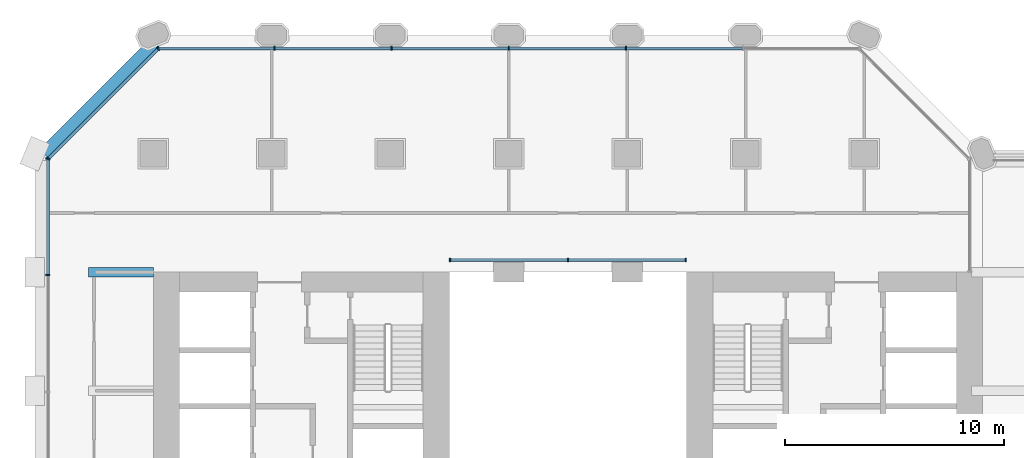
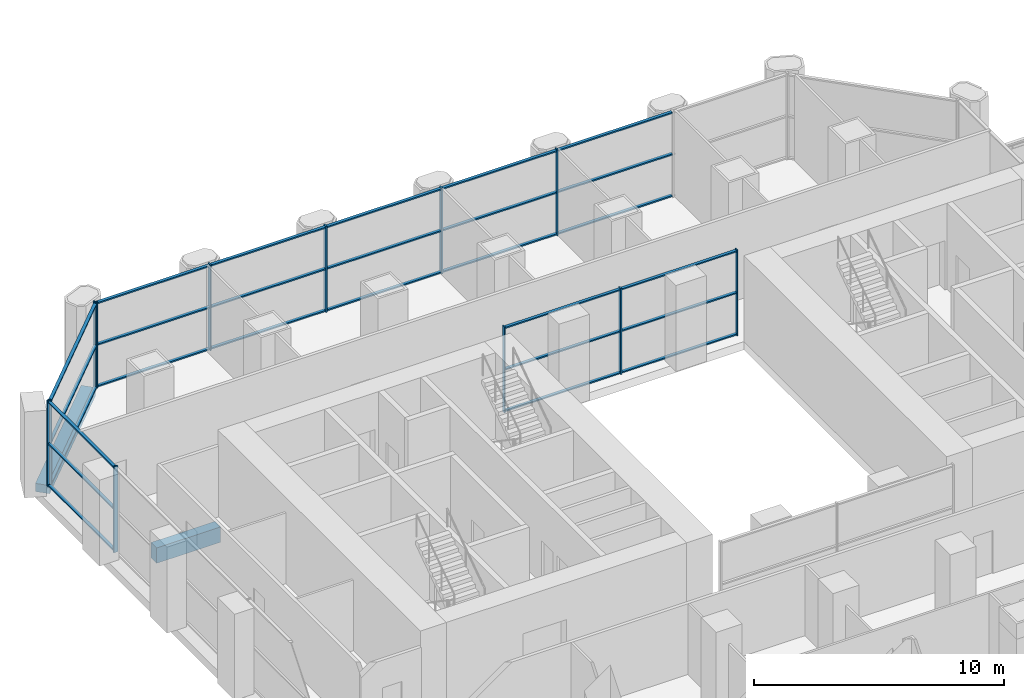
# One storey, part 8 of 23: 39 members, 2 beams, 4 elements without a shape of their own.
"""IFC4 building model written with IfcOpenShell, lengths in metres."""

from ifc_helpers import new_model, si_unit, direction, frame, origin, origin_2d, place, context, subcontext, project, spatial, rectangle, extrude, material, material_profile, profile_set, type_object, element, aggregate, save


model = new_model("IFC4")

# Units and contexts
model_context = context("Model", 3, precision=1e-05, world=origin(), true_north=direction((0.0, 1.0)))
body_context = subcontext(model_context, "Body", "Model", "MODEL_VIEW")
ifc_project = project(units=[si_unit("LENGTHUNIT", "METRE"), si_unit("AREAUNIT", "SQUARE_METRE"), si_unit("VOLUMEUNIT", "CUBIC_METRE"), si_unit("PLANEANGLEUNIT", "RADIAN"), si_unit("MASSUNIT", "GRAM", prefix="KILO")], contexts=[model_context])

# Site, building, storey
site_placement = place(None, origin())
site = spatial("IfcSite", under=ifc_project, at=site_placement, CompositionType="ELEMENT")
building_placement = place(site_placement, origin())
building = spatial("IfcBuilding", under=site, at=building_placement, Name="Tabaq Tower and Sports Hall", CompositionType="ELEMENT")
storey_placement = place(building_placement, frame((0.0, 0.0, 29.10009765625)))
storey = spatial("IfcBuildingStorey", under=building, at=storey_placement, Name="L05", CompositionType="ELEMENT", Elevation=29.10009765625)

# Curtain wall, members
ifc_material_1 = material(Name="Aluminium alloy 6063-T6 framed glazing", Category="aluminium")
curtain_wall_type_1 = type_object("IfcCurtainWallType", Name="CW1 curtain wall", PredefinedType="USERDEFINED", material=ifc_material_1)
curtain_wall_1_placement = place(storey_placement, origin())
curtain_wall_1 = element("IfcCurtainWall", 1, at=curtain_wall_1_placement, inside=storey, type_object=curtain_wall_type_1, Name="Atrium glazing L05 N", ObjectType="ATRIUM ENCLOSURE", PredefinedType="USERDEFINED")
ifc_material_2 = material(Name="Aluminium alloy 6063-T6", Category="aluminium")
ifc_material_profile_1 = material_profile(ifc_material_2, rectangle(XDim=0.159912109375, YDim=0.06005859375, at=origin_2d()), Name="MULLION 160x60")
ifc_profile_set_1 = profile_set([ifc_material_profile_1], Name="Aluminium alloy 6063-T6")
member_type_1 = type_object("IfcMemberType", Name="CW1 mullion 160x60", PredefinedType="MULLION", material=ifc_profile_set_1)
member_1_placement = place(storey_placement, frame((18.929931640625, 32.949951171875, 0.0), z_axis=(0.0, 0.0, 1.0), x_axis=(0.0, 1.0, 0.0)))
member_1 = element("IfcMember", 2, at=member_1_placement, type_object=member_type_1, Name="CW1 mullion 1", PredefinedType="MULLION", context=body_context, shape_type="SweptSolid", body=[
    extrude(rectangle(XDim=0.159912109375, YDim=0.06005859375, at=origin_2d()), origin(), (0.0, 0.0, 1.0), 4.199951171875),
])
member_2_placement = place(storey_placement, frame((24.300048828125, 32.949951171875, 0.0), z_axis=(0.0, 0.0, 1.0), x_axis=(0.0, 1.0, 0.0)))
member_2 = element("IfcMember", 3, at=member_2_placement, type_object=member_type_1, Name="CW1 mullion 2", PredefinedType="MULLION", context=body_context, shape_type="SweptSolid", body=[
    extrude(rectangle(XDim=0.159912109375, YDim=0.06005859375, at=origin_2d()), origin(), (0.0, 0.0, 1.0), 4.199951171875),
])
member_3_placement = place(storey_placement, frame((29.669921875, 32.949951171875, 0.0), z_axis=(0.0, 0.0, 1.0), x_axis=(0.0, 1.0, 0.0)))
member_3 = element("IfcMember", 4, at=member_3_placement, type_object=member_type_1, Name="CW1 mullion 3", PredefinedType="MULLION", context=body_context, shape_type="SweptSolid", body=[
    extrude(rectangle(XDim=0.159912109375, YDim=0.06005859375, at=origin_2d()), origin(), (0.0, 0.0, 1.0), 4.199951171875),
])
ifc_material_3 = material(Name="Aluminium alloy 6063-T6", Category="aluminium")
ifc_material_profile_2 = material_profile(ifc_material_3, rectangle(XDim=0.139892578125, YDim=0.06005859375, at=origin_2d()), Name="TRANSOM 140x60")
ifc_profile_set_2 = profile_set([ifc_material_profile_2], Name="Aluminium alloy 6063-T6")
member_type_2 = type_object("IfcMemberType", Name="CW1 transom 140x60", PredefinedType="USERDEFINED", material=ifc_profile_set_2)
member_4_placement = place(storey_placement, frame((18.9599609375, 32.949951171875, 0.06982421875), z_axis=(1.0, 0.0, 0.0), x_axis=(0.0, 1.0, 0.0)))
member_4 = element("IfcMember", 5, at=member_4_placement, type_object=member_type_2, Name="CW1 transom 1.1", ObjectType="TRANSOM", PredefinedType="USERDEFINED", context=body_context, shape_type="SweptSolid", body=[
    extrude(rectangle(XDim=0.139892578125, YDim=0.06005859375, at=origin_2d()), origin(), (0.0, 0.0, 1.0), 5.31005859375),
])
member_5_placement = place(storey_placement, frame((18.9599609375, 32.949951171875, 2.099853515625), z_axis=(1.0, 0.0, 0.0), x_axis=(0.0, 1.0, 0.0)))
member_5 = element("IfcMember", 6, at=member_5_placement, type_object=member_type_2, Name="CW1 transom 1.2", ObjectType="TRANSOM", PredefinedType="USERDEFINED", context=body_context, shape_type="SweptSolid", body=[
    extrude(rectangle(XDim=0.139892578125, YDim=0.06005859375, at=origin_2d()), origin(), (0.0, 0.0, 1.0), 5.31005859375),
])
member_6_placement = place(storey_placement, frame((18.9599609375, 32.949951171875, 4.1298828125), z_axis=(1.0, 0.0, 0.0), x_axis=(0.0, 1.0, 0.0)))
member_6 = element("IfcMember", 7, at=member_6_placement, type_object=member_type_2, Name="CW1 transom 1.3", ObjectType="TRANSOM", PredefinedType="USERDEFINED", context=body_context, shape_type="SweptSolid", body=[
    extrude(rectangle(XDim=0.139892578125, YDim=0.06005859375, at=origin_2d()), origin(), (0.0, 0.0, 1.0), 5.31005859375),
])
member_7_placement = place(storey_placement, frame((24.330078125, 32.949951171875, 0.06982421875), z_axis=(1.0, 0.0, 0.0), x_axis=(0.0, 1.0, 0.0)))
member_7 = element("IfcMember", 8, at=member_7_placement, type_object=member_type_2, Name="CW1 transom 2.1", ObjectType="TRANSOM", PredefinedType="USERDEFINED", context=body_context, shape_type="SweptSolid", body=[
    extrude(rectangle(XDim=0.139892578125, YDim=0.06005859375, at=origin_2d()), origin(), (0.0, 0.0, 1.0), 5.309814453125),
])
member_8_placement = place(storey_placement, frame((24.330078125, 32.949951171875, 2.099853515625), z_axis=(1.0, 0.0, 0.0), x_axis=(0.0, 1.0, 0.0)))
member_8 = element("IfcMember", 9, at=member_8_placement, type_object=member_type_2, Name="CW1 transom 2.2", ObjectType="TRANSOM", PredefinedType="USERDEFINED", context=body_context, shape_type="SweptSolid", body=[
    extrude(rectangle(XDim=0.139892578125, YDim=0.06005859375, at=origin_2d()), origin(), (0.0, 0.0, 1.0), 5.309814453125),
])
member_9_placement = place(storey_placement, frame((24.330078125, 32.949951171875, 4.1298828125), z_axis=(1.0, 0.0, 0.0), x_axis=(0.0, 1.0, 0.0)))
member_9 = element("IfcMember", 10, at=member_9_placement, type_object=member_type_2, Name="CW1 transom 2.3", ObjectType="TRANSOM", PredefinedType="USERDEFINED", context=body_context, shape_type="SweptSolid", body=[
    extrude(rectangle(XDim=0.139892578125, YDim=0.06005859375, at=origin_2d()), origin(), (0.0, 0.0, 1.0), 5.309814453125),
])
aggregate(curtain_wall_1, [member_1, member_2, member_3, member_4, member_5, member_6, member_7, member_8, member_9])

ifc_material_4 = material(Name="Aluminium alloy 6063-T6 framed glazing", Category="aluminium")
curtain_wall_type_2 = type_object("IfcCurtainWallType", Name="CW7 curtain wall", PredefinedType="USERDEFINED", material=ifc_material_4)
curtain_wall_2_placement = place(storey_placement, origin())
curtain_wall_2 = element("IfcCurtainWall", 11, at=curtain_wall_2_placement, inside=storey, type_object=curtain_wall_type_2, Name="Podium Wall L05 N", ObjectType="PODIUM WALL", PredefinedType="USERDEFINED")
ifc_material_5 = material(Name="Aluminium alloy 6063-T6", Category="aluminium")
ifc_material_profile_3 = material_profile(ifc_material_5, rectangle(XDim=0.179931640625, YDim=0.06494140625, at=origin_2d()), Name="MULLION 180x65")
ifc_profile_set_3 = profile_set([ifc_material_profile_3], Name="Aluminium alloy 6063-T6")
member_type_3 = type_object("IfcMemberType", Name="CW7 mullion 180x65", PredefinedType="MULLION", material=ifc_profile_set_3)
member_10_placement = place(storey_placement, frame((26.93798828125, 42.60009765625, 0.0), z_axis=(0.0, 0.0, 1.0), x_axis=(0.0, -1.0, 0.0)))
member_10 = element("IfcMember", 12, at=member_10_placement, type_object=member_type_3, Name="CW7 mullion 3", PredefinedType="MULLION", context=body_context, shape_type="SweptSolid", body=[
    extrude(rectangle(XDim=0.179931640625, YDim=0.06494140625, at=origin_2d()), origin(), (0.0, 0.0, 1.0), 4.199951171875),
])
member_11_placement = place(storey_placement, frame((21.60009765625, 42.60009765625, 0.0), z_axis=(0.0, 0.0, 1.0), x_axis=(0.0, -1.0, 0.0)))
member_11 = element("IfcMember", 13, at=member_11_placement, type_object=member_type_3, Name="CW7 mullion 4", PredefinedType="MULLION", context=body_context, shape_type="SweptSolid", body=[
    extrude(rectangle(XDim=0.179931640625, YDim=0.06494140625, at=origin_2d()), origin(), (0.0, 0.0, 1.0), 4.199951171875),
])
member_12_placement = place(storey_placement, frame((16.26220703125, 42.60009765625, 0.0), z_axis=(0.0, 0.0, 1.0), x_axis=(0.0, -1.0, 0.0)))
member_12 = element("IfcMember", 14, at=member_12_placement, type_object=member_type_3, Name="CW7 mullion 5", PredefinedType="MULLION", context=body_context, shape_type="SweptSolid", body=[
    extrude(rectangle(XDim=0.179931640625, YDim=0.06494140625, at=origin_2d()), origin(), (0.0, 0.0, 1.0), 4.199951171875),
])
member_13_placement = place(storey_placement, frame((10.92431640625, 42.60009765625, 0.0), z_axis=(0.0, 0.0, 1.0), x_axis=(0.0, -1.0, 0.0)))
member_13 = element("IfcMember", 15, at=member_13_placement, type_object=member_type_3, Name="CW7 mullion 6", PredefinedType="MULLION", context=body_context, shape_type="SweptSolid", body=[
    extrude(rectangle(XDim=0.179931640625, YDim=0.06494140625, at=origin_2d()), origin(), (0.0, 0.0, 1.0), 4.199951171875),
])
member_14_placement = place(storey_placement, frame((5.618896484375, 42.60009765625, 0.0), z_axis=(0.0, 0.0, 1.0), x_axis=(0.0, -1.0, 0.0)))
member_14 = element("IfcMember", 16, at=member_14_placement, type_object=member_type_3, Name="CW7 mullion 7", PredefinedType="MULLION", context=body_context, shape_type="SweptSolid", body=[
    extrude(rectangle(XDim=0.179931640625, YDim=0.06494140625, at=origin_2d()), origin(), (0.0, 0.0, 1.0), 4.199951171875),
])

curtain_wall_3_placement = place(storey_placement, origin())
curtain_wall_3 = element("IfcCurtainWall", 17, at=curtain_wall_3_placement, inside=storey, type_object=curtain_wall_type_2, Name="Podium Wall L05 NW", ObjectType="PODIUM WALL", PredefinedType="USERDEFINED")
member_15_placement = place(storey_placement, frame((5.62548828125, 42.576904296875, 0.0), z_axis=(0.0, 0.0, 1.0), x_axis=(0.707106781187, -0.707106781187, 0.0)))
member_15 = element("IfcMember", 18, at=member_15_placement, type_object=member_type_3, Name="CW7 mullion 1", PredefinedType="MULLION", context=body_context, shape_type="SweptSolid", body=[
    extrude(rectangle(XDim=0.179931640625, YDim=0.06494140625, at=origin_2d()), origin(), (0.0, 0.0, 1.0), 4.199951171875),
])
member_16_placement = place(storey_placement, frame((0.623046875, 37.574462890625, 0.0), z_axis=(0.0, 0.0, 1.0), x_axis=(0.707106781187, -0.707106781187, 0.0)))
member_16 = element("IfcMember", 19, at=member_16_placement, type_object=member_type_3, Name="CW7 mullion 2", PredefinedType="MULLION", context=body_context, shape_type="SweptSolid", body=[
    extrude(rectangle(XDim=0.179931640625, YDim=0.06494140625, at=origin_2d()), origin(), (0.0, 0.0, 1.0), 4.199951171875),
])

curtain_wall_4_placement = place(storey_placement, origin())
curtain_wall_4 = element("IfcCurtainWall", 20, at=curtain_wall_4_placement, inside=storey, type_object=curtain_wall_type_2, Name="Podium Wall L05 W", ObjectType="PODIUM WALL", PredefinedType="USERDEFINED")
member_17_placement = place(storey_placement, frame((0.60009765625, 37.5810546875, 0.0), z_axis=(0.0, 0.0, 1.0), x_axis=(1.0, 0.0, 0.0)))
member_17 = element("IfcMember", 21, at=member_17_placement, type_object=member_type_3, Name="CW7 mullion 1", PredefinedType="MULLION", context=body_context, shape_type="SweptSolid", body=[
    extrude(rectangle(XDim=0.179931640625, YDim=0.06494140625, at=origin_2d()), origin(), (0.0, 0.0, 1.0), 4.199951171875),
])
member_18_placement = place(storey_placement, frame((0.60009765625, 32.275634765625, 0.0), z_axis=(0.0, 0.0, 1.0), x_axis=(1.0, 0.0, 0.0)))
member_18 = element("IfcMember", 22, at=member_18_placement, type_object=member_type_3, Name="CW7 mullion 2", PredefinedType="MULLION", context=body_context, shape_type="SweptSolid", body=[
    extrude(rectangle(XDim=0.179931640625, YDim=0.06494140625, at=origin_2d()), origin(), (0.0, 0.0, 1.0), 4.199951171875),
])

# Member
ifc_material_6 = material(Name="Aluminium alloy 6063-T6", Category="aluminium")
ifc_material_profile_4 = material_profile(ifc_material_6, rectangle(XDim=0.139892578125, YDim=0.06494140625, at=origin_2d()), Name="TRANSOM 140x65")
ifc_profile_set_4 = profile_set([ifc_material_profile_4], Name="Aluminium alloy 6063-T6")
member_type_4 = type_object("IfcMemberType", Name="CW7 transom 140x65", PredefinedType="USERDEFINED", material=ifc_profile_set_4)
member_19_placement = place(storey_placement, frame((32.2431640625, 42.60009765625, 0.06982421875), z_axis=(-1.0, 0.0, 0.0), x_axis=(0.0, -1.0, 0.0)))
member_19 = element("IfcMember", 23, at=member_19_placement, type_object=member_type_4, Name="CW7 transom 2.1", ObjectType="TRANSOM", PredefinedType="USERDEFINED", context=body_context, shape_type="SweptSolid", body=[
    extrude(rectangle(XDim=0.139892578125, YDim=0.06494140625, at=origin_2d()), origin(), (0.0, 0.0, 1.0), 5.272705078125),
])

member_20_placement = place(storey_placement, frame((32.2431640625, 42.60009765625, 2.099853515625), z_axis=(-1.0, 0.0, 0.0), x_axis=(0.0, -1.0, 0.0)))
member_20 = element("IfcMember", 24, at=member_20_placement, type_object=member_type_4, Name="CW7 transom 2.2", ObjectType="TRANSOM", PredefinedType="USERDEFINED", context=body_context, shape_type="SweptSolid", body=[
    extrude(rectangle(XDim=0.139892578125, YDim=0.06494140625, at=origin_2d()), origin(), (0.0, 0.0, 1.0), 5.272705078125),
])

member_21_placement = place(storey_placement, frame((32.2431640625, 42.60009765625, 4.1298828125), z_axis=(-1.0, 0.0, 0.0), x_axis=(0.0, -1.0, 0.0)))
member_21 = element("IfcMember", 25, at=member_21_placement, type_object=member_type_4, Name="CW7 transom 2.3", ObjectType="TRANSOM", PredefinedType="USERDEFINED", context=body_context, shape_type="SweptSolid", body=[
    extrude(rectangle(XDim=0.139892578125, YDim=0.06494140625, at=origin_2d()), origin(), (0.0, 0.0, 1.0), 5.272705078125),
])

member_22_placement = place(storey_placement, frame((26.9052734375, 42.60009765625, 0.06982421875), z_axis=(-1.0, 0.0, 0.0), x_axis=(0.0, -1.0, 0.0)))
member_22 = element("IfcMember", 26, at=member_22_placement, type_object=member_type_4, Name="CW7 transom 3.1", ObjectType="TRANSOM", PredefinedType="USERDEFINED", context=body_context, shape_type="SweptSolid", body=[
    extrude(rectangle(XDim=0.139892578125, YDim=0.06494140625, at=origin_2d()), origin(), (0.0, 0.0, 1.0), 5.272705078125),
])

member_23_placement = place(storey_placement, frame((26.9052734375, 42.60009765625, 2.099853515625), z_axis=(-1.0, 0.0, 0.0), x_axis=(0.0, -1.0, 0.0)))
member_23 = element("IfcMember", 27, at=member_23_placement, type_object=member_type_4, Name="CW7 transom 3.2", ObjectType="TRANSOM", PredefinedType="USERDEFINED", context=body_context, shape_type="SweptSolid", body=[
    extrude(rectangle(XDim=0.139892578125, YDim=0.06494140625, at=origin_2d()), origin(), (0.0, 0.0, 1.0), 5.272705078125),
])

member_24_placement = place(storey_placement, frame((26.9052734375, 42.60009765625, 4.1298828125), z_axis=(-1.0, 0.0, 0.0), x_axis=(0.0, -1.0, 0.0)))
member_24 = element("IfcMember", 28, at=member_24_placement, type_object=member_type_4, Name="CW7 transom 3.3", ObjectType="TRANSOM", PredefinedType="USERDEFINED", context=body_context, shape_type="SweptSolid", body=[
    extrude(rectangle(XDim=0.139892578125, YDim=0.06494140625, at=origin_2d()), origin(), (0.0, 0.0, 1.0), 5.272705078125),
])

member_25_placement = place(storey_placement, frame((21.5673828125, 42.60009765625, 0.06982421875), z_axis=(-1.0, 0.0, 0.0), x_axis=(0.0, -1.0, 0.0)))
member_25 = element("IfcMember", 29, at=member_25_placement, type_object=member_type_4, Name="CW7 transom 4.1", ObjectType="TRANSOM", PredefinedType="USERDEFINED", context=body_context, shape_type="SweptSolid", body=[
    extrude(rectangle(XDim=0.139892578125, YDim=0.06494140625, at=origin_2d()), origin(), (0.0, 0.0, 1.0), 5.272705078125),
])

member_26_placement = place(storey_placement, frame((21.5673828125, 42.60009765625, 2.099853515625), z_axis=(-1.0, 0.0, 0.0), x_axis=(0.0, -1.0, 0.0)))
member_26 = element("IfcMember", 30, at=member_26_placement, type_object=member_type_4, Name="CW7 transom 4.2", ObjectType="TRANSOM", PredefinedType="USERDEFINED", context=body_context, shape_type="SweptSolid", body=[
    extrude(rectangle(XDim=0.139892578125, YDim=0.06494140625, at=origin_2d()), origin(), (0.0, 0.0, 1.0), 5.272705078125),
])

member_27_placement = place(storey_placement, frame((21.5673828125, 42.60009765625, 4.1298828125), z_axis=(-1.0, 0.0, 0.0), x_axis=(0.0, -1.0, 0.0)))
member_27 = element("IfcMember", 31, at=member_27_placement, type_object=member_type_4, Name="CW7 transom 4.3", ObjectType="TRANSOM", PredefinedType="USERDEFINED", context=body_context, shape_type="SweptSolid", body=[
    extrude(rectangle(XDim=0.139892578125, YDim=0.06494140625, at=origin_2d()), origin(), (0.0, 0.0, 1.0), 5.272705078125),
])

member_28_placement = place(storey_placement, frame((16.229736328125, 42.60009765625, 0.06982421875), z_axis=(-1.0, 0.0, 0.0), x_axis=(0.0, -1.0, 0.0)))
member_28 = element("IfcMember", 32, at=member_28_placement, type_object=member_type_4, Name="CW7 transom 5.1", ObjectType="TRANSOM", PredefinedType="USERDEFINED", context=body_context, shape_type="SweptSolid", body=[
    extrude(rectangle(XDim=0.139892578125, YDim=0.06494140625, at=origin_2d()), origin(), (0.0, 0.0, 1.0), 5.27294921875),
])

member_29_placement = place(storey_placement, frame((16.229736328125, 42.60009765625, 2.099853515625), z_axis=(-1.0, 0.0, 0.0), x_axis=(0.0, -1.0, 0.0)))
member_29 = element("IfcMember", 33, at=member_29_placement, type_object=member_type_4, Name="CW7 transom 5.2", ObjectType="TRANSOM", PredefinedType="USERDEFINED", context=body_context, shape_type="SweptSolid", body=[
    extrude(rectangle(XDim=0.139892578125, YDim=0.06494140625, at=origin_2d()), origin(), (0.0, 0.0, 1.0), 5.27294921875),
])

member_30_placement = place(storey_placement, frame((16.229736328125, 42.60009765625, 4.1298828125), z_axis=(-1.0, 0.0, 0.0), x_axis=(0.0, -1.0, 0.0)))
member_30 = element("IfcMember", 34, at=member_30_placement, type_object=member_type_4, Name="CW7 transom 5.3", ObjectType="TRANSOM", PredefinedType="USERDEFINED", context=body_context, shape_type="SweptSolid", body=[
    extrude(rectangle(XDim=0.139892578125, YDim=0.06494140625, at=origin_2d()), origin(), (0.0, 0.0, 1.0), 5.27294921875),
])

member_31_placement = place(storey_placement, frame((10.891845703125, 42.60009765625, 0.06982421875), z_axis=(-1.0, 0.0, 0.0), x_axis=(0.0, -1.0, 0.0)))
member_31 = element("IfcMember", 35, at=member_31_placement, type_object=member_type_4, Name="CW7 transom 6.1", ObjectType="TRANSOM", PredefinedType="USERDEFINED", context=body_context, shape_type="SweptSolid", body=[
    extrude(rectangle(XDim=0.139892578125, YDim=0.06494140625, at=origin_2d()), origin(), (0.0, 0.0, 1.0), 5.240478515625),
])

member_32_placement = place(storey_placement, frame((10.891845703125, 42.60009765625, 2.099853515625), z_axis=(-1.0, 0.0, 0.0), x_axis=(0.0, -1.0, 0.0)))
member_32 = element("IfcMember", 36, at=member_32_placement, type_object=member_type_4, Name="CW7 transom 6.2", ObjectType="TRANSOM", PredefinedType="USERDEFINED", context=body_context, shape_type="SweptSolid", body=[
    extrude(rectangle(XDim=0.139892578125, YDim=0.06494140625, at=origin_2d()), origin(), (0.0, 0.0, 1.0), 5.240478515625),
])

member_33_placement = place(storey_placement, frame((10.891845703125, 42.60009765625, 4.1298828125), z_axis=(-1.0, 0.0, 0.0), x_axis=(0.0, -1.0, 0.0)))
member_33 = element("IfcMember", 37, at=member_33_placement, type_object=member_type_4, Name="CW7 transom 6.3", ObjectType="TRANSOM", PredefinedType="USERDEFINED", context=body_context, shape_type="SweptSolid", body=[
    extrude(rectangle(XDim=0.139892578125, YDim=0.06494140625, at=origin_2d()), origin(), (0.0, 0.0, 1.0), 5.240478515625),
])

aggregate(curtain_wall_2, [member_10, member_11, member_12, member_13, member_14, member_19, member_20, member_21, member_22, member_23, member_24, member_25, member_26, member_27, member_28, member_29, member_30, member_31, member_32, member_33])

member_34_placement = place(storey_placement, frame((5.6025390625, 42.553955078125, 0.06982421875), z_axis=(-0.707106781187, -0.707106781187, 0.0), x_axis=(0.707106781187, -0.707106781187, 0.0)))
member_34 = element("IfcMember", 38, at=member_34_placement, type_object=member_type_4, Name="CW7 transom 1.1", ObjectType="TRANSOM", PredefinedType="USERDEFINED", context=body_context, shape_type="SweptSolid", body=[
    extrude(rectangle(XDim=0.139892578125, YDim=0.06494140625, at=origin_2d()), origin(), (0.0, 0.0, 1.0), 7.009521484375),
])

member_35_placement = place(storey_placement, frame((5.6025390625, 42.553955078125, 2.099853515625), z_axis=(-0.707106781187, -0.707106781187, 0.0), x_axis=(0.707106781187, -0.707106781187, 0.0)))
member_35 = element("IfcMember", 39, at=member_35_placement, type_object=member_type_4, Name="CW7 transom 1.2", ObjectType="TRANSOM", PredefinedType="USERDEFINED", context=body_context, shape_type="SweptSolid", body=[
    extrude(rectangle(XDim=0.139892578125, YDim=0.06494140625, at=origin_2d()), origin(), (0.0, 0.0, 1.0), 7.009521484375),
])

member_36_placement = place(storey_placement, frame((5.6025390625, 42.553955078125, 4.1298828125), z_axis=(-0.707106781187, -0.707106781187, 0.0), x_axis=(0.707106781187, -0.707106781187, 0.0)))
member_36 = element("IfcMember", 40, at=member_36_placement, type_object=member_type_4, Name="CW7 transom 1.3", ObjectType="TRANSOM", PredefinedType="USERDEFINED", context=body_context, shape_type="SweptSolid", body=[
    extrude(rectangle(XDim=0.139892578125, YDim=0.06494140625, at=origin_2d()), origin(), (0.0, 0.0, 1.0), 7.009521484375),
])

aggregate(curtain_wall_3, [member_15, member_16, member_34, member_35, member_36])

member_37_placement = place(storey_placement, frame((0.60009765625, 37.548583984375, 0.06982421875), z_axis=(0.0, -1.0, 0.0), x_axis=(1.0, 0.0, 0.0)))
member_37 = element("IfcMember", 41, at=member_37_placement, type_object=member_type_4, Name="CW7 transom 1.1", ObjectType="TRANSOM", PredefinedType="USERDEFINED", context=body_context, shape_type="SweptSolid", body=[
    extrude(rectangle(XDim=0.139892578125, YDim=0.06494140625, at=origin_2d()), origin(), (0.0, 0.0, 1.0), 5.240234375),
])

member_38_placement = place(storey_placement, frame((0.60009765625, 37.548583984375, 2.099853515625), z_axis=(0.0, -1.0, 0.0), x_axis=(1.0, 0.0, 0.0)))
member_38 = element("IfcMember", 42, at=member_38_placement, type_object=member_type_4, Name="CW7 transom 1.2", ObjectType="TRANSOM", PredefinedType="USERDEFINED", context=body_context, shape_type="SweptSolid", body=[
    extrude(rectangle(XDim=0.139892578125, YDim=0.06494140625, at=origin_2d()), origin(), (0.0, 0.0, 1.0), 5.240234375),
])

member_39_placement = place(storey_placement, frame((0.60009765625, 37.548583984375, 4.1298828125), z_axis=(0.0, -1.0, 0.0), x_axis=(1.0, 0.0, 0.0)))
member_39 = element("IfcMember", 43, at=member_39_placement, type_object=member_type_4, Name="CW7 transom 1.3", ObjectType="TRANSOM", PredefinedType="USERDEFINED", context=body_context, shape_type="SweptSolid", body=[
    extrude(rectangle(XDim=0.139892578125, YDim=0.06494140625, at=origin_2d()), origin(), (0.0, 0.0, 1.0), 5.240234375),
])

aggregate(curtain_wall_4, [member_17, member_18, member_37, member_38, member_39])

# Beams
ifc_material_7 = material(Name="Concrete C40/50", Category="concrete")
ifc_material_profile_5 = material_profile(ifc_material_7, rectangle(XDim=0.449951171875, YDim=0.75, at=origin_2d()), Name="CB 450x750")
ifc_profile_set_5 = profile_set([ifc_material_profile_5], Name="Concrete C40/50")
beam_type_1 = type_object("IfcBeamType", Name="PT CANTILEVER BEAM CB 450x750 C40/50", PredefinedType="BEAM", material=ifc_profile_set_5)
beam_1_placement = place(storey_placement, frame((2.449951171875, 32.39990234375, -0.775146484375), z_axis=(1.0, 0.0, 0.0), x_axis=(0.0, 1.0, 0.0)))
element("IfcBeam", 44, at=beam_1_placement, inside=storey, type_object=beam_type_1, Name="Cantilever Beam L05 W6 span 1", PredefinedType="BEAM", context=body_context, shape_type="SweptSolid", body=[
    extrude(rectangle(XDim=0.449951171875, YDim=0.75, at=origin_2d()), origin(), (0.0, 0.0, 1.0), 2.949951171875),
])
ifc_material_8 = material(Name="Concrete C40/50", Category="concrete")
ifc_material_profile_6 = material_profile(ifc_material_8, rectangle(XDim=0.60009765625, YDim=0.39990234375, at=origin_2d()), Name="EB 600x400")
ifc_profile_set_6 = profile_set([ifc_material_profile_6], Name="Concrete C40/50")
beam_type_2 = type_object("IfcBeamType", Name="PT EDGE BEAM EB 600x400 C40/50", PredefinedType="SPANDREL", material=ifc_profile_set_6)
beam_2_placement = place(storey_placement, frame((5.435302734375, 42.81103515625, -0.2001953125), z_axis=(-0.707106781187, -0.707106781187, 0.0), x_axis=(0.707106781187, -0.707106781187, 0.0)))
element("IfcBeam", 45, at=beam_2_placement, inside=storey, type_object=beam_type_2, Name="Edge Beam L05 3", PredefinedType="SPANDREL", context=body_context, shape_type="SweptSolid", body=[
    extrude(rectangle(XDim=0.60009765625, YDim=0.39990234375, at=origin_2d()), origin(), (0.0, 0.0, 1.0), 7.087890625),
])

save(model, "model.ifc")
